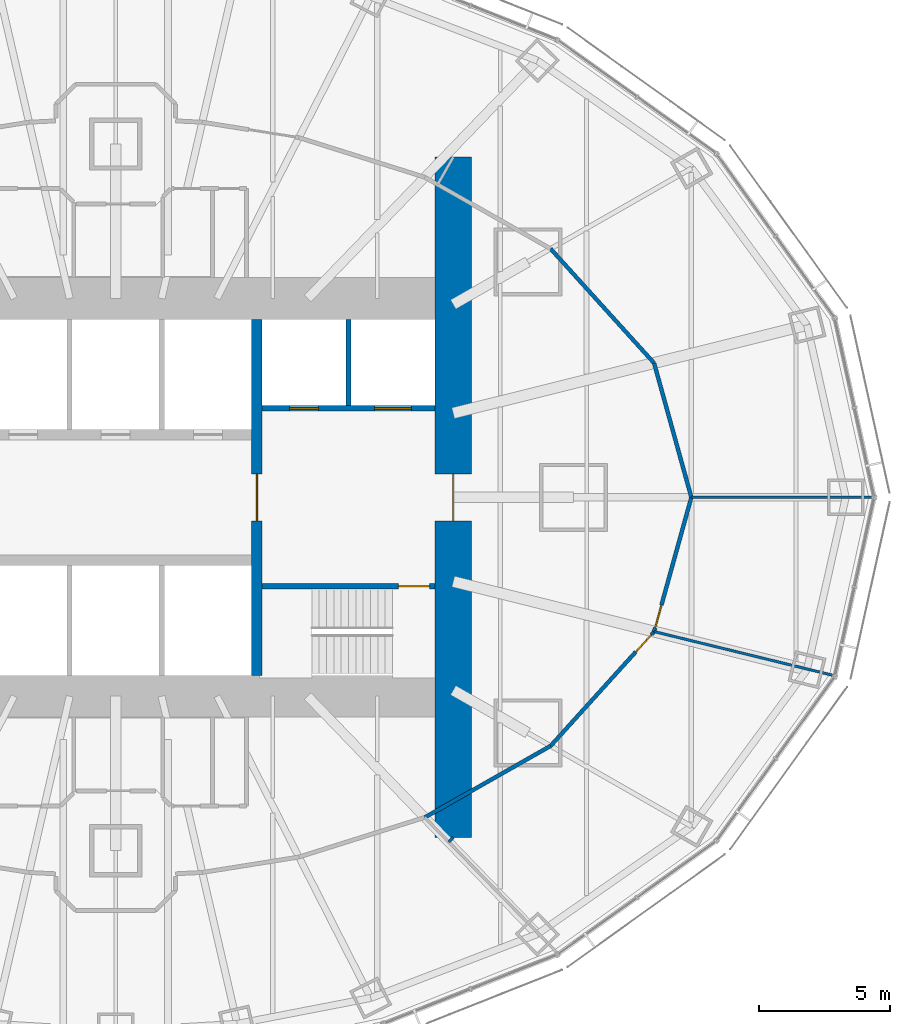
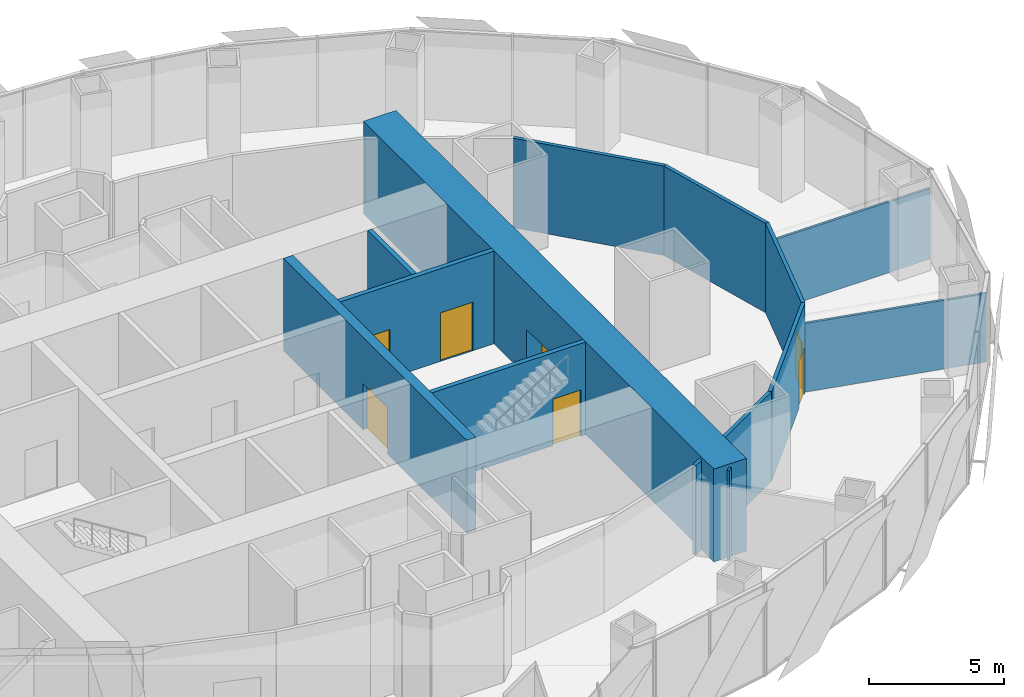
# One storey, part 12 of 17: 13 walls, 7 doors, 7 openings.
"""IFC4 building model written with IfcOpenShell, lengths in metres."""

from ifc_helpers import new_model, si_unit, direction, frame, frame_2d, origin, place, context, subcontext, project, spatial, rectangle, extrude, material, layer, layer_set, type_object, element, fill, save


model = new_model("IFC4")

# Units and contexts
model_context = context("Model", 3, precision=1e-05, world=origin(), true_north=direction((0.0, 1.0)))
body_context = subcontext(model_context, "Body", "Model", "MODEL_VIEW")
ifc_project = project(units=[si_unit("LENGTHUNIT", "METRE"), si_unit("AREAUNIT", "SQUARE_METRE"), si_unit("VOLUMEUNIT", "CUBIC_METRE"), si_unit("PLANEANGLEUNIT", "RADIAN"), si_unit("MASSUNIT", "GRAM", prefix="KILO")], contexts=[model_context])

# Site, building, storey
site_placement = place(None, origin())
site = spatial("IfcSite", under=ifc_project, at=site_placement, CompositionType="ELEMENT")
building_placement = place(site_placement, origin())
building = spatial("IfcBuilding", under=site, at=building_placement, Name="Lantaw Convention Tower", CompositionType="ELEMENT")
storey_placement = place(building_placement, frame((0.0, 0.0, 121.60009765625)))
storey = spatial("IfcBuildingStorey", under=building, at=storey_placement, Name="L28", CompositionType="ELEMENT", Elevation=121.60009765625)

# Wall, opening, door
ifc_material_1 = material(Name="Concrete C60/75", Category="concrete")
ifc_layer_1 = layer(ifc_material_1, 1.39990234375)
ifc_layer_set_1 = layer_set([ifc_layer_1], Name="Core wall 1400")
wall_type_1 = type_object("IfcWallType", Name="Core wall 1400", PredefinedType="SHEAR", material=ifc_layer_set_1)
wall_1_placement = place(storey_placement, frame((12.89990234375, -13.0, 0.0), z_axis=(0.0, 0.0, 1.0), x_axis=(0.0, 1.0, 0.0)))
wall_1 = element("IfcWall", 1, at=wall_1_placement, inside=storey, type_object=wall_type_1, Name="Core wall E", PredefinedType="SHEAR", context=body_context, shape_type="SweptSolid", body=[
    extrude(rectangle(XDim=26.0, YDim=1.39990234375, at=frame_2d((13.0, 0.0))), origin(), (0.0, 0.0, 1.0), 4.199951171875),
])
opening_1_placement = place(wall_1_placement, frame((12.10009765625, 0.0, 0.0)))
opening_1 = element("IfcOpeningElement", 2, at=opening_1_placement, cuts=wall_1, Name="Opening L28.05", PredefinedType="OPENING", context=body_context, shape_type="SweptSolid", body=[
    extrude(rectangle(XDim=1.800048828125, YDim=2.10009765625, at=frame_2d((0.89990234375, 1.050048828125))), frame((0.0, 0.7099609375, 0.0), z_axis=(0.0, -1.0, 0.0), x_axis=(1.0, 0.0, 0.0)), (0.0, 0.0, 1.0), 1.419921875),
])
ifc_material_2 = material(Name="Steel, fire rated", Category="steel")
door_type_1 = type_object("IfcDoorType", Name="Lobby double door FD90", OperationType="DOUBLE_DOOR_DOUBLE_SWING", PredefinedType="DOOR", material=ifc_material_2)
door_1_placement = place(opening_1_placement, origin())
door_1 = element("IfcDoor", 3, at=door_1_placement, inside=storey, type_object=door_type_1, Name="Firefighting lobby door", OperationType="DOUBLE_DOOR_DOUBLE_SWING", OverallHeight=2.10009765625, OverallWidth=1.800048828125, PredefinedType="DOOR", context=body_context, shape_type="SweptSolid", body=[
    extrude(rectangle(XDim=1.800048828125, YDim=2.10009765625, at=frame_2d((0.89990234375, 1.050048828125))), frame((0.0, 0.02490234375, 0.0), z_axis=(0.0, -1.0, 0.0), x_axis=(1.0, 0.0, 0.0)), (0.0, 0.0, 1.0), 0.050048828125),
])
fill(opening_1, door_1)

ifc_layer_2 = layer(ifc_material_1, 0.199951171875)
ifc_layer_set_2 = layer_set([ifc_layer_2], Name="Core wall 200")
wall_type_2 = type_object("IfcWallType", Name="Core wall 200", PredefinedType="SHEAR", material=ifc_layer_set_2)
wall_2_placement = place(storey_placement, frame((5.60009765625, -3.39990234375, 0.0), z_axis=(0.0, 0.0, 1.0), x_axis=(1.0, 0.0, 0.0)))
wall_2 = element("IfcWall", 4, at=wall_2_placement, inside=storey, type_object=wall_type_2, Name="Core wall ES", PredefinedType="SHEAR", context=body_context, shape_type="SweptSolid", body=[
    extrude(rectangle(XDim=6.599853515625, YDim=0.199951171875, at=frame_2d((3.2998046875, 0.0))), origin(), (0.0, 0.0, 1.0), 4.199951171875),
])
opening_2_placement = place(wall_2_placement, frame((5.199951171875, 0.0, 0.0)))
opening_2 = element("IfcOpeningElement", 5, at=opening_2_placement, cuts=wall_2, Name="Opening L28.03", PredefinedType="OPENING", context=body_context, shape_type="SweptSolid", body=[
    extrude(rectangle(XDim=1.199951171875, YDim=2.10009765625, at=frame_2d((0.60009765625, 1.050048828125))), frame((0.0, 0.10986328125, 0.0), z_axis=(0.0, -1.0, 0.0), x_axis=(1.0, 0.0, 0.0)), (0.0, 0.0, 1.0), 0.219970703125),
])
door_type_2 = type_object("IfcDoorType", Name="Stair door FD90", OperationType="SINGLE_SWING_RIGHT", PredefinedType="DOOR", material=ifc_material_2)
door_2_placement = place(opening_2_placement, origin())
door_2 = element("IfcDoor", 6, at=door_2_placement, inside=storey, type_object=door_type_2, Name="Exit stair door", OperationType="SINGLE_SWING_RIGHT", OverallHeight=2.10009765625, OverallWidth=1.199951171875, PredefinedType="DOOR", context=body_context, shape_type="SweptSolid", body=[
    extrude(rectangle(XDim=1.199951171875, YDim=2.10009765625, at=frame_2d((0.60009765625, 1.050048828125))), frame((0.0, 0.02490234375, 0.0), z_axis=(0.0, -1.0, 0.0), x_axis=(1.0, 0.0, 0.0)), (0.0, 0.0, 1.0), 0.050048828125),
])
fill(opening_2, door_2)

ifc_layer_3 = layer(ifc_material_1, 0.39990234375)
ifc_layer_set_3 = layer_set([ifc_layer_3], Name="Core wall 400")
wall_type_3 = type_object("IfcWallType", Name="Core wall 400", PredefinedType="SHEAR", material=ifc_layer_set_3)
wall_3_placement = place(storey_placement, frame((5.39990234375, -6.800048828125, 0.0), z_axis=(0.0, 0.0, 1.0), x_axis=(0.0, 1.0, 0.0)))
wall_3 = element("IfcWall", 7, at=wall_3_placement, inside=storey, type_object=wall_type_3, Name="Core wall XE", PredefinedType="SHEAR", context=body_context, shape_type="SweptSolid", body=[
    extrude(rectangle(XDim=13.60009765625, YDim=0.39990234375, at=frame_2d((6.800048828125, 0.0))), origin(), (0.0, 0.0, 1.0), 4.199951171875),
])
opening_3_placement = place(wall_3_placement, frame((5.89990234375, 0.0, 0.0)))
opening_3 = element("IfcOpeningElement", 8, at=opening_3_placement, cuts=wall_3, Name="Opening L28.01", PredefinedType="OPENING", context=body_context, shape_type="SweptSolid", body=[
    extrude(rectangle(XDim=1.800048828125, YDim=2.10009765625, at=frame_2d((0.89990234375, 1.050048828125))), frame((0.0, 0.2099609375, 0.0), z_axis=(0.0, -1.0, 0.0), x_axis=(1.0, 0.0, 0.0)), (0.0, 0.0, 1.0), 0.419921875),
])
door_3_placement = place(opening_3_placement, origin())
door_3 = element("IfcDoor", 9, at=door_3_placement, inside=storey, type_object=door_type_1, Name="Lift lobby door", OperationType="DOUBLE_DOOR_DOUBLE_SWING", OverallHeight=2.10009765625, OverallWidth=1.800048828125, PredefinedType="DOOR", context=body_context, shape_type="SweptSolid", body=[
    extrude(rectangle(XDim=1.800048828125, YDim=2.10009765625, at=frame_2d((0.89990234375, 1.050048828125))), frame((0.0, 0.02490234375, 0.0), z_axis=(0.0, -1.0, 0.0), x_axis=(1.0, 0.0, 0.0)), (0.0, 0.0, 1.0), 0.050048828125),
])
fill(opening_3, door_3)

# Walls
ifc_material_3 = material(Name="Gypsum board on steel studs, fire rated", Category="steel")
ifc_layer_4 = layer(ifc_material_3, 0.14990234375)
ifc_layer_set_4 = layer_set([ifc_layer_4], Name="Corridor wall 150 EI 60")
wall_type_4 = type_object("IfcWallType", Name="Corridor wall 150 EI 60", PredefinedType="PARTITIONING", material=ifc_layer_set_4)
wall_4_placement = place(storey_placement, frame((22.0, 0.0, 0.0), z_axis=(0.0, 0.0, 1.0), x_axis=(-0.267293817428, 0.963615076244, 0.0)))
element("IfcWall", 10, at=wall_4_placement, inside=storey, type_object=wall_type_4, Name="Corridor wall 150", PredefinedType="PARTITIONING", context=body_context, shape_type="SweptSolid", body=[
    extrude(rectangle(XDim=5.323974609375, YDim=0.14990234375, at=frame_2d((2.662109375, 0.0))), origin(), (0.0, 0.0, 1.0), 4.0498046875),
])
wall_5_placement = place(storey_placement, frame((20.576904296875, 5.13037109375, 0.0), z_axis=(0.0, 0.0, 1.0), x_axis=(-0.671118353743, 0.741350224435, 0.0)))
element("IfcWall", 11, at=wall_5_placement, inside=storey, type_object=wall_type_4, Name="Corridor wall 150", PredefinedType="PARTITIONING", context=body_context, shape_type="SweptSolid", body=[
    extrude(rectangle(XDim=5.89208984375, YDim=0.14990234375, at=frame_2d((2.946044921875, 0.0))), origin(), (0.0, 0.0, 1.0), 4.0498046875),
])
wall_6_placement = place(storey_placement, frame((11.812744140625, -12.232421875, 0.0), z_axis=(0.0, 0.0, 1.0), x_axis=(0.869375991036, 0.494151177485, 0.0)))
element("IfcWall", 12, at=wall_6_placement, inside=storey, type_object=wall_type_4, Name="Corridor wall 150", PredefinedType="PARTITIONING", context=body_context, shape_type="SweptSolid", body=[
    extrude(rectangle(XDim=5.532470703125, YDim=0.14990234375, at=frame_2d((2.76611328125, 0.0))), origin(), (0.0, 0.0, 1.0), 4.0498046875),
])

# Wall, opening, door
wall_7_placement = place(storey_placement, frame((16.62255859375, -9.49853515625, 0.0), z_axis=(0.0, 0.0, 1.0), x_axis=(0.671118353743, 0.741350224435, 0.0)))
wall_7 = element("IfcWall", 13, at=wall_7_placement, inside=storey, type_object=wall_type_4, Name="Corridor wall 150", PredefinedType="PARTITIONING", context=body_context, shape_type="SweptSolid", body=[
    extrude(rectangle(XDim=5.89208984375, YDim=0.14990234375, at=frame_2d((2.946044921875, 0.0))), origin(), (0.0, 0.0, 1.0), 4.0498046875),
])
opening_4_placement = place(wall_7_placement, frame((4.84228515625, 0.0, 0.0)))
opening_4 = element("IfcOpeningElement", 14, at=opening_4_placement, cuts=wall_7, Name="Opening L28.28", PredefinedType="OPENING", context=body_context, shape_type="SweptSolid", body=[
    extrude(rectangle(XDim=0.89990234375, YDim=2.10009765625, at=frame_2d((0.449951171875, 1.050048828125))), frame((0.0, 0.0849609375, 0.0), z_axis=(0.0, -1.0, 0.0), x_axis=(1.0, 0.0, 0.0)), (0.0, 0.0, 1.0), 0.169921875),
])
door_type_3 = type_object("IfcDoorType", Name="Office door 900 FD30", OperationType="SINGLE_SWING_LEFT", PredefinedType="DOOR", material=ifc_material_2)
door_4_placement = place(opening_4_placement, origin())
door_4 = element("IfcDoor", 15, at=door_4_placement, inside=storey, type_object=door_type_3, Name="Training room door", OperationType="SINGLE_SWING_LEFT", OverallHeight=2.10009765625, OverallWidth=0.89990234375, PredefinedType="DOOR", context=body_context, shape_type="SweptSolid", body=[
    extrude(rectangle(XDim=0.89990234375, YDim=2.10009765625, at=frame_2d((0.449951171875, 1.050048828125))), frame((0.0, 0.02490234375, 0.0), z_axis=(0.0, -1.0, 0.0), x_axis=(1.0, 0.0, 0.0)), (0.0, 0.0, 1.0), 0.050048828125),
])
fill(opening_4, door_4)

wall_8_placement = place(storey_placement, frame((20.576904296875, -5.13037109375, 0.0), z_axis=(0.0, 0.0, 1.0), x_axis=(0.267293817428, 0.963615076244, 0.0)))
wall_8 = element("IfcWall", 16, at=wall_8_placement, inside=storey, type_object=wall_type_4, Name="Corridor wall 150", PredefinedType="PARTITIONING", context=body_context, shape_type="SweptSolid", body=[
    extrude(rectangle(XDim=5.323974609375, YDim=0.14990234375, at=frame_2d((2.662109375, 0.0))), origin(), (0.0, 0.0, 1.0), 4.0498046875),
])
opening_5_placement = place(wall_8_placement, frame((0.14990234375, 0.0, 0.0)))
opening_5 = element("IfcOpeningElement", 17, at=opening_5_placement, cuts=wall_8, Name="Opening L28.29", PredefinedType="OPENING", context=body_context, shape_type="SweptSolid", body=[
    extrude(rectangle(XDim=0.89990234375, YDim=2.10009765625, at=frame_2d((0.449951171875, 1.050048828125))), frame((0.0, 0.0849609375, 0.0), z_axis=(0.0, -1.0, 0.0), x_axis=(1.0, 0.0, 0.0)), (0.0, 0.0, 1.0), 0.169921875),
])
door_5_placement = place(opening_5_placement, origin())
door_5 = element("IfcDoor", 18, at=door_5_placement, inside=storey, type_object=door_type_3, Name="Nap room door", OperationType="SINGLE_SWING_LEFT", OverallHeight=2.10009765625, OverallWidth=0.89990234375, PredefinedType="DOOR", context=body_context, shape_type="SweptSolid", body=[
    extrude(rectangle(XDim=0.89990234375, YDim=2.10009765625, at=frame_2d((0.449951171875, 1.050048828125))), frame((0.0, 0.02490234375, 0.0), z_axis=(0.0, -1.0, 0.0), x_axis=(1.0, 0.0, 0.0)), (0.0, 0.0, 1.0), 0.050048828125),
])
fill(opening_5, door_5)

# Walls
ifc_material_4 = material(Name="Gypsum board on steel studs, acoustic", Category="steel")
ifc_layer_5 = layer(ifc_material_4, 0.10009765625)
ifc_layer_set_5 = layer_set([ifc_layer_5], Name="Office partition 100")
wall_type_5 = type_object("IfcWallType", Name="Office partition 100", PredefinedType="PARTITIONING", material=ifc_layer_set_5)
wall_9_placement = place(storey_placement, frame((28.944091796875, 0.0, 0.0), z_axis=(0.0, 0.0, 1.0), x_axis=(-1.0, 0.0, 0.0)))
element("IfcWall", 19, at=wall_9_placement, inside=storey, type_object=wall_type_5, Name="Office partition 100", PredefinedType="PARTITIONING", context=body_context, shape_type="SweptSolid", body=[
    extrude(rectangle(XDim=6.944091796875, YDim=0.10009765625, at=frame_2d((3.47216796875, 0.0))), origin(), (0.0, 0.0, 1.0), 3.2041015625),
])
wall_10_placement = place(storey_placement, frame((27.440673828125, -6.808837890625, 0.0), z_axis=(0.0, 0.0, 1.0), x_axis=(-0.971377572955, 0.237540755996, 0.0)))
element("IfcWall", 20, at=wall_10_placement, inside=storey, type_object=wall_type_5, Name="Office partition 100", PredefinedType="PARTITIONING", context=body_context, shape_type="SweptSolid", body=[
    extrude(rectangle(XDim=7.06591796875, YDim=0.10009765625, at=frame_2d((3.532958984375, 0.0))), origin(), (0.0, 0.0, 1.0), 3.112548828125),
])
wall_11_placement = place(storey_placement, frame((12.89990234375, -13.0, 0.0), z_axis=(0.0, 0.0, 1.0), x_axis=(-0.714690391061, -0.699440951707, 0.0)))
element("IfcWall", 21, at=wall_11_placement, inside=storey, type_object=wall_type_5, Name="Office partition 100", PredefinedType="PARTITIONING", context=body_context, shape_type="SweptSolid", body=[
    extrude(rectangle(XDim=0.240234375, YDim=0.10009765625, at=frame_2d((0.1201171875, 0.0))), origin(), (0.0, 0.0, 1.0), 4.0498046875),
])

# Wall, openings, doors
ifc_material_5 = material(Name="Concrete blockwork, fire rated", Category="masonry")
ifc_layer_6 = layer(ifc_material_5, 0.199951171875)
ifc_layer_set_6 = layer_set([ifc_layer_6], Name="Shaft wall 200")
wall_type_6 = type_object("IfcWallType", Name="Shaft wall 200", PredefinedType="SOLIDWALL", material=ifc_layer_set_6)
wall_12_placement = place(storey_placement, frame((12.199951171875, 3.39990234375, 0.0), z_axis=(0.0, 0.0, 1.0), x_axis=(-1.0, 0.0, 0.0)))
wall_12 = element("IfcWall", 22, at=wall_12_placement, inside=storey, type_object=wall_type_6, Name="Shaft wall EN", PredefinedType="SOLIDWALL", context=body_context, shape_type="SweptSolid", body=[
    extrude(rectangle(XDim=6.599853515625, YDim=0.199951171875, at=frame_2d((3.2998046875, 0.0))), origin(), (0.0, 0.0, 1.0), 4.199951171875),
])
opening_6_placement = place(wall_12_placement, frame((4.449951171875, 0.0, 0.0)))
opening_6 = element("IfcOpeningElement", 23, at=opening_6_placement, cuts=wall_12, Name="Opening L28.12", PredefinedType="OPENING", context=body_context, shape_type="SweptSolid", body=[
    extrude(rectangle(XDim=1.10009765625, YDim=2.199951171875, at=frame_2d((0.550048828125, 1.10009765625))), frame((0.0, 0.10986328125, 0.0), z_axis=(0.0, -1.0, 0.0), x_axis=(1.0, 0.0, 0.0)), (0.0, 0.0, 1.0), 0.219970703125),
])
opening_7_placement = place(wall_12_placement, frame((0.89990234375, 0.0, 0.0)))
opening_7 = element("IfcOpeningElement", 24, at=opening_7_placement, cuts=wall_12, Name="Opening L28.13", PredefinedType="OPENING", context=body_context, shape_type="SweptSolid", body=[
    extrude(rectangle(XDim=1.39990234375, YDim=2.199951171875, at=frame_2d((0.699951171875, 1.10009765625))), frame((0.0, 0.10986328125, 0.0), z_axis=(0.0, -1.0, 0.0), x_axis=(1.0, 0.0, 0.0)), (0.0, 0.0, 1.0), 0.219970703125),
])
ifc_material_6 = material(Name="Stainless steel", Category="steel")
door_type_4 = type_object("IfcDoorType", Name="Lift landing door 1100", OperationType="DOUBLE_DOOR_SLIDING", PredefinedType="DOOR", material=ifc_material_6)
door_6_placement = place(opening_6_placement, origin())
door_6 = element("IfcDoor", 25, at=door_6_placement, inside=storey, type_object=door_type_4, Name="Lift landing door FF2", OperationType="DOUBLE_DOOR_SLIDING", OverallHeight=2.199951171875, OverallWidth=1.10009765625, PredefinedType="DOOR", context=body_context, shape_type="SweptSolid", body=[
    extrude(rectangle(XDim=1.10009765625, YDim=2.199951171875, at=frame_2d((0.550048828125, 1.10009765625))), frame((0.0, 0.02490234375, 0.0), z_axis=(0.0, -1.0, 0.0), x_axis=(1.0, 0.0, 0.0)), (0.0, 0.0, 1.0), 0.050048828125),
])
fill(opening_6, door_6)
door_type_5 = type_object("IfcDoorType", Name="Lift landing door 1400", OperationType="DOUBLE_DOOR_SLIDING", PredefinedType="DOOR", material=ifc_material_6)
door_7_placement = place(opening_7_placement, origin())
door_7 = element("IfcDoor", 26, at=door_7_placement, inside=storey, type_object=door_type_5, Name="Lift landing door SV2", OperationType="DOUBLE_DOOR_SLIDING", OverallHeight=2.199951171875, OverallWidth=1.39990234375, PredefinedType="DOOR", context=body_context, shape_type="SweptSolid", body=[
    extrude(rectangle(XDim=1.39990234375, YDim=2.199951171875, at=frame_2d((0.699951171875, 1.10009765625))), frame((0.0, 0.02490234375, 0.0), z_axis=(0.0, -1.0, 0.0), x_axis=(1.0, 0.0, 0.0)), (0.0, 0.0, 1.0), 0.050048828125),
])
fill(opening_7, door_7)

# Wall
wall_13_placement = place(storey_placement, frame((8.89990234375, 3.5, 0.0), z_axis=(0.0, 0.0, 1.0), x_axis=(0.0, 1.0, 0.0)))
element("IfcWall", 27, at=wall_13_placement, inside=storey, type_object=wall_type_6, Name="Shaft wall ED", PredefinedType="SOLIDWALL", context=body_context, shape_type="SweptSolid", body=[
    extrude(rectangle(XDim=3.300048828125, YDim=0.199951171875, at=frame_2d((1.64990234375, 0.0))), origin(), (0.0, 0.0, 1.0), 4.199951171875),
])

save(model, "model.ifc")
